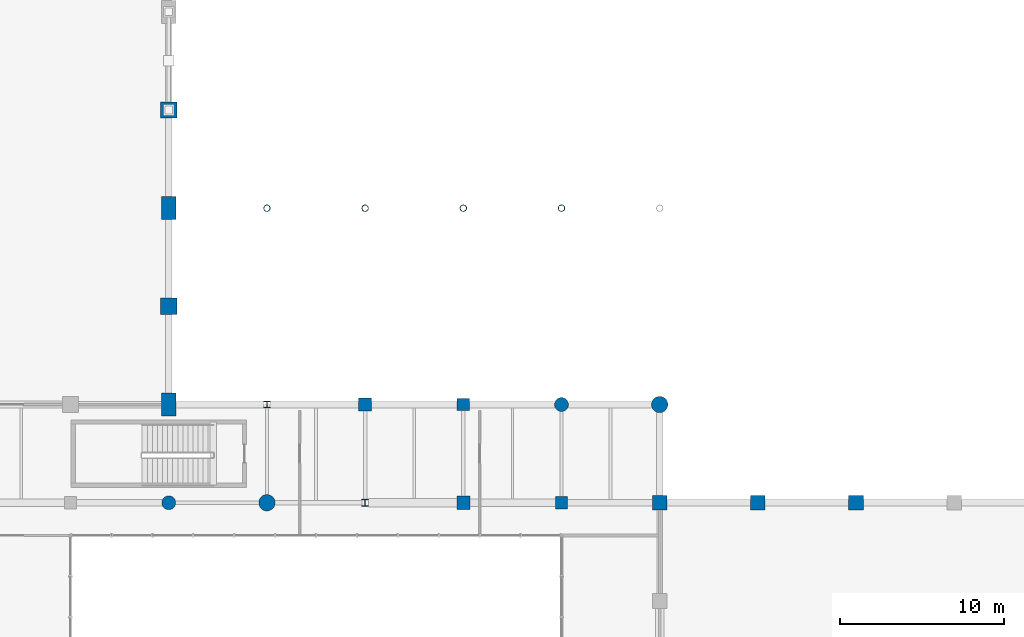
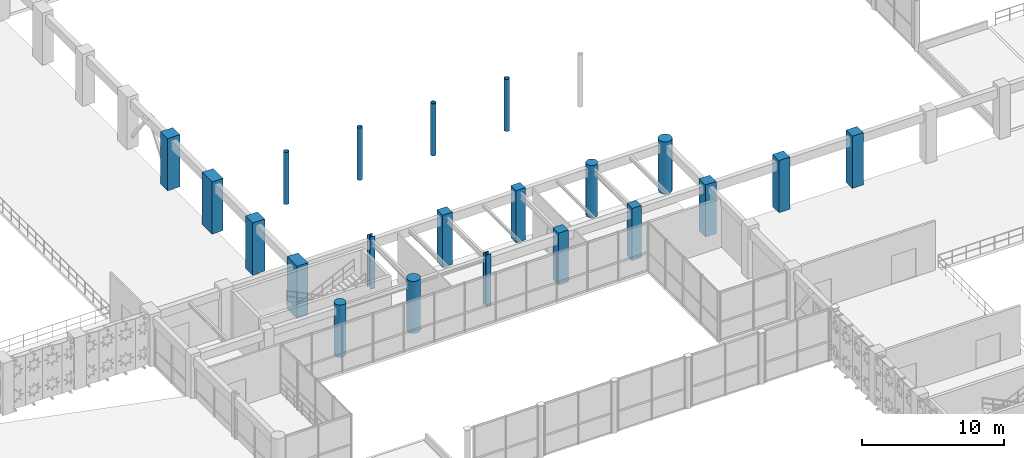
# One storey, part 5 of 133: 21 columns.
"""IFC4 building model written with IfcOpenShell, lengths in metres."""

from ifc_helpers import new_model, si_unit, direction, frame, origin, origin_2d, place, context, subcontext, project, spatial, rectangle, circle, hollow_circle, i_section, extrude, material, material_profile, profile_set, type_object, element, save


model = new_model("IFC4")

# Units and contexts
model_context = context("Model", 3, precision=1e-05, world=origin(), true_north=direction((0.0, 1.0)))
body_context = subcontext(model_context, "Body", "Model", "MODEL_VIEW")
ifc_project = project(units=[si_unit("LENGTHUNIT", "METRE"), si_unit("AREAUNIT", "SQUARE_METRE"), si_unit("VOLUMEUNIT", "CUBIC_METRE"), si_unit("PLANEANGLEUNIT", "RADIAN"), si_unit("MASSUNIT", "GRAM", prefix="KILO"), si_unit("THERMODYNAMICTEMPERATUREUNIT", "KELVIN"), si_unit("POWERUNIT", "WATT")], contexts=[model_context])

# Site, building, storey
site_placement = place(None, origin())
site = spatial("IfcSite", under=ifc_project, at=site_placement, CompositionType="ELEMENT")
building_placement = place(site_placement, origin())
building = spatial("IfcBuilding", under=site, at=building_placement, Name="Phaisarnlok Congress Hotel", CompositionType="ELEMENT")
storey_placement = place(building_placement, frame((0.0, 0.0, 6.0)))
storey = spatial("IfcBuildingStorey", under=building, at=storey_placement, Name="L01", CompositionType="ELEMENT", Elevation=6.0)

# Columns
ifc_material_1 = material(Name="Concrete C50/60", Category="concrete")
ifc_material_profile_1 = material_profile(ifc_material_1, rectangle(XDim=1.0, YDim=1.0, at=origin_2d()), Name="RC 1000x1000")
ifc_profile_set_1 = profile_set([ifc_material_profile_1], Name="Concrete C50/60")
column_type_1 = type_object("IfcColumnType", Name="COL-RC-1000", PredefinedType="COLUMN", material=ifc_profile_set_1)
for number, where, z_axis, x_axis, name in (
    (1, (66.0, 48.0, 0.0), (0.0, 0.0, 1.0), (1.0, 0.0, 0.0), "Column C-09 (L01)"),
    (2, (66.0, 60.0, 0.0), (0.0, 0.0, 1.0), (1.0, 0.0, 0.0), "Column C-09 (L01)"),
):
    element("IfcColumn", number, at=place(storey_placement, frame(where, z_axis=z_axis, x_axis=x_axis)), inside=storey, type_object=column_type_1, Name=name, PredefinedType="COLUMN", context=body_context, shape_type="SweptSolid", body=[
        extrude(rectangle(XDim=1.0, YDim=1.0, at=origin_2d()), origin(), (0.0, 0.0, 1.0), 4.5),
    ])
ifc_material_profile_2 = material_profile(ifc_material_1, rectangle(XDim=0.75, YDim=0.75, at=origin_2d()), Name="RC 750x750")
ifc_profile_set_2 = profile_set([ifc_material_profile_2], Name="Concrete C50/60")
column_type_2 = type_object("IfcColumnType", Name="COL-RC-750", PredefinedType="COLUMN", material=ifc_profile_set_2)
for number, where, z_axis, x_axis, name in (
    (3, (84.0, 42.0, 0.0), (0.0, 0.0, 1.0), (1.0, 0.0, 0.0), "Column C-06 (L01)"),
    (4, (90.0, 36.0, 0.0), (0.0, 0.0, 1.0), (1.0, 0.0, 0.0), "Column C-06 (L01)"),
):
    element("IfcColumn", number, at=place(storey_placement, frame(where, z_axis=z_axis, x_axis=x_axis)), inside=storey, type_object=column_type_2, Name=name, PredefinedType="COLUMN", context=body_context, shape_type="SweptSolid", body=[
        extrude(rectangle(XDim=0.75, YDim=0.75, at=origin_2d()), origin(), (0.0, 0.0, 1.0), 4.5),
    ])
ifc_material_profile_3 = material_profile(ifc_material_1, rectangle(XDim=0.800048828125, YDim=0.800048828125, at=origin_2d()), Name="RC 800x800")
ifc_profile_set_3 = profile_set([ifc_material_profile_3], Name="Concrete C50/60")
column_type_3 = type_object("IfcColumnType", Name="COL-RC-800", PredefinedType="COLUMN", material=ifc_profile_set_3)
for number, where, z_axis, x_axis, name in (
    (5, (78.0, 42.0, 0.0), (0.0, 0.0, 1.0), (1.0, 0.0, 0.0), "Column C-07 (L01)"),
    (6, (84.0, 36.0, 0.0), (0.0, 0.0, 1.0), (1.0, 0.0, 0.0), "Column C-07 (L01)"),
):
    element("IfcColumn", number, at=place(storey_placement, frame(where, z_axis=z_axis, x_axis=x_axis)), inside=storey, type_object=column_type_3, Name=name, PredefinedType="COLUMN", context=body_context, shape_type="SweptSolid", body=[
        extrude(rectangle(XDim=0.800048828125, YDim=0.800048828125, at=origin_2d()), origin(), (0.0, 0.0, 1.0), 4.5),
    ])
ifc_material_profile_4 = material_profile(ifc_material_1, rectangle(XDim=0.89990234375, YDim=0.89990234375, at=origin_2d()), Name="RC 900x900")
ifc_profile_set_4 = profile_set([ifc_material_profile_4], Name="Concrete C50/60")
column_type_4 = type_object("IfcColumnType", Name="COL-RC-900", PredefinedType="COLUMN", material=ifc_profile_set_4)
for number, where, z_axis, x_axis, name in (
    (7, (96.0, 36.0, 0.0), (0.0, 0.0, 1.0), (1.0, 0.0, 0.0), "Column C-08 (L01)"),
    (8, (102.0, 36.0, 0.0), (0.0, 0.0, 1.0), (1.0, 0.0, 0.0), "Column C-08 (L01)"),
    (9, (108.0, 36.0, 0.0), (0.0, 0.0, 1.0), (1.0, 0.0, 0.0), "Column C-08 (L01)"),
):
    element("IfcColumn", number, at=place(storey_placement, frame(where, z_axis=z_axis, x_axis=x_axis)), inside=storey, type_object=column_type_4, Name=name, PredefinedType="COLUMN", context=body_context, shape_type="SweptSolid", body=[
        extrude(rectangle(XDim=0.89990234375, YDim=0.89990234375, at=origin_2d()), origin(), (0.0, 0.0, 1.0), 4.5),
    ])
ifc_material_profile_5 = material_profile(ifc_material_1, rectangle(XDim=0.89990234375, YDim=1.39990234375, at=origin_2d()), Name="RC 900x1400")
ifc_profile_set_5 = profile_set([ifc_material_profile_5], Name="Concrete C50/60")
column_type_5 = type_object("IfcColumnType", Name="COL-RC-900x1400", PredefinedType="COLUMN", material=ifc_profile_set_5)
for number, where, z_axis, x_axis, name in (
    (10, (66.0, 42.0, 0.0), (0.0, 0.0, 1.0), (1.0, 0.0, 0.0), "Column C-12 (L01)"),
    (11, (66.0, 54.0, 0.0), (0.0, 0.0, 1.0), (1.0, 0.0, 0.0), "Column C-12 (L01)"),
):
    element("IfcColumn", number, at=place(storey_placement, frame(where, z_axis=z_axis, x_axis=x_axis)), inside=storey, type_object=column_type_5, Name=name, PredefinedType="COLUMN", context=body_context, shape_type="SweptSolid", body=[
        extrude(rectangle(XDim=0.89990234375, YDim=1.39990234375, at=origin_2d()), origin(), (0.0, 0.0, 1.0), 4.5),
    ])
ifc_material_profile_6 = material_profile(ifc_material_1, circle(Radius=0.5, at=origin_2d()), Name="RCC D1000")
ifc_profile_set_6 = profile_set([ifc_material_profile_6], Name="Concrete C50/60")
column_type_6 = type_object("IfcColumnType", Name="COL-RCC-1000", PredefinedType="COLUMN", material=ifc_profile_set_6)
for number, where, z_axis, x_axis, name in (
    (12, (72.0, 36.0, 0.0), (0.0, 0.0, 1.0), (1.0, 0.0, 0.0), "Column C-15 (L01)"),
    (13, (96.0, 42.0, 0.0), (0.0, 0.0, 1.0), (1.0, 0.0, 0.0), "Column C-15 (L01)"),
):
    element("IfcColumn", number, at=place(storey_placement, frame(where, z_axis=z_axis, x_axis=x_axis)), inside=storey, type_object=column_type_6, Name=name, PredefinedType="COLUMN", context=body_context, shape_type="SweptSolid", body=[
        extrude(circle(Radius=0.5, at=origin_2d()), origin(), (0.0, 0.0, 1.0), 4.5),
    ])
ifc_material_profile_7 = material_profile(ifc_material_1, circle(Radius=0.425048828125, at=origin_2d()), Name="RCC D850")
ifc_profile_set_7 = profile_set([ifc_material_profile_7], Name="Concrete C50/60")
column_type_7 = type_object("IfcColumnType", Name="COL-RCC-850", PredefinedType="COLUMN", material=ifc_profile_set_7)
for number, where, z_axis, x_axis, name in (
    (14, (66.0, 36.0, 0.0), (0.0, 0.0, 1.0), (1.0, 0.0, 0.0), "Column C-14 (L01)"),
    (15, (90.0, 42.0, 0.0), (0.0, 0.0, 1.0), (1.0, 0.0, 0.0), "Column C-14 (L01)"),
):
    element("IfcColumn", number, at=place(storey_placement, frame(where, z_axis=z_axis, x_axis=x_axis)), inside=storey, type_object=column_type_7, Name=name, PredefinedType="COLUMN", context=body_context, shape_type="SweptSolid", body=[
        extrude(circle(Radius=0.425048828125, at=origin_2d()), origin(), (0.0, 0.0, 1.0), 4.5),
    ])
ifc_material_2 = material(Name="Steel S355", Category="steel")
ifc_material_profile_8 = material_profile(ifc_material_2, hollow_circle(Radius=0.203125, WallThickness=0.02001953125, at=origin_2d()), Name="CHS 406.4x20")
ifc_profile_set_8 = profile_set([ifc_material_profile_8], Name="Steel S355")
column_type_8 = type_object("IfcColumnType", Name="COL-STL-CHS406-EXT", PredefinedType="COLUMN", material=ifc_profile_set_8)
for number, where, z_axis, x_axis, name in (
    (16, (72.0, 54.0, 0.0), (0.0, 0.0, 1.0), (1.0, 0.0, 0.0), "Cloister colonnade wing-truss anchor column SC-02E (L01)"),
    (17, (78.0, 54.0, 0.0), (0.0, 0.0, 1.0), (1.0, 0.0, 0.0), "Cloister colonnade wing-truss anchor column SC-02E (L01)"),
    (18, (84.0, 54.0, 0.0), (0.0, 0.0, 1.0), (1.0, 0.0, 0.0), "Cloister colonnade wing-truss anchor column SC-02E (L01)"),
    (19, (90.0, 54.0, 0.0), (0.0, 0.0, 1.0), (1.0, 0.0, 0.0), "Cloister colonnade wing-truss anchor column SC-02E (L01)"),
):
    element("IfcColumn", number, at=place(storey_placement, frame(where, z_axis=z_axis, x_axis=x_axis)), inside=storey, type_object=column_type_8, Name=name, PredefinedType="COLUMN", context=body_context, shape_type="SweptSolid", body=[
        extrude(hollow_circle(Radius=0.203125, WallThickness=0.02001953125, at=origin_2d()), origin(), (0.0, 0.0, 1.0), 4.5),
    ])
ifc_material_profile_9 = material_profile(ifc_material_2, i_section(OverallWidth=0.40087890625, OverallDepth=0.39892578125, WebThickness=0.0185546875, FlangeThickness=0.030029296875, FilletRadius=0.014892578125, at=origin_2d()), Name="HD 400x314")
ifc_profile_set_9 = profile_set([ifc_material_profile_9], Name="Steel S355")
column_type_9 = type_object("IfcColumnType", Name="COL-STL-HD314", PredefinedType="COLUMN", material=ifc_profile_set_9)
for number, where, z_axis, x_axis, name in (
    (20, (72.0, 42.0, 0.0), (0.0, 0.0, 1.0), (1.0, 0.0, 0.0), "Column SC-04 (L01)"),
    (21, (78.0, 36.0, 0.0), (0.0, 0.0, 1.0), (1.0, 0.0, 0.0), "Column SC-04 (L01)"),
):
    element("IfcColumn", number, at=place(storey_placement, frame(where, z_axis=z_axis, x_axis=x_axis)), inside=storey, type_object=column_type_9, Name=name, PredefinedType="COLUMN", context=body_context, shape_type="SweptSolid", body=[
        extrude(i_section(OverallWidth=0.40087890625, OverallDepth=0.39892578125, WebThickness=0.0185546875, FlangeThickness=0.030029296875, FilletRadius=0.014892578125, at=origin_2d()), origin(), (0.0, 0.0, 1.0), 4.5),
    ])

save(model, "model.ifc")
